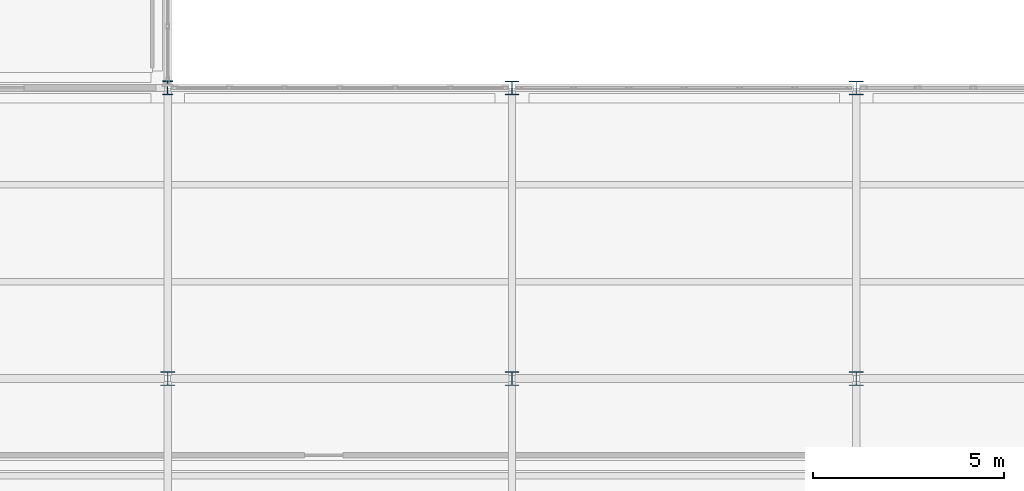
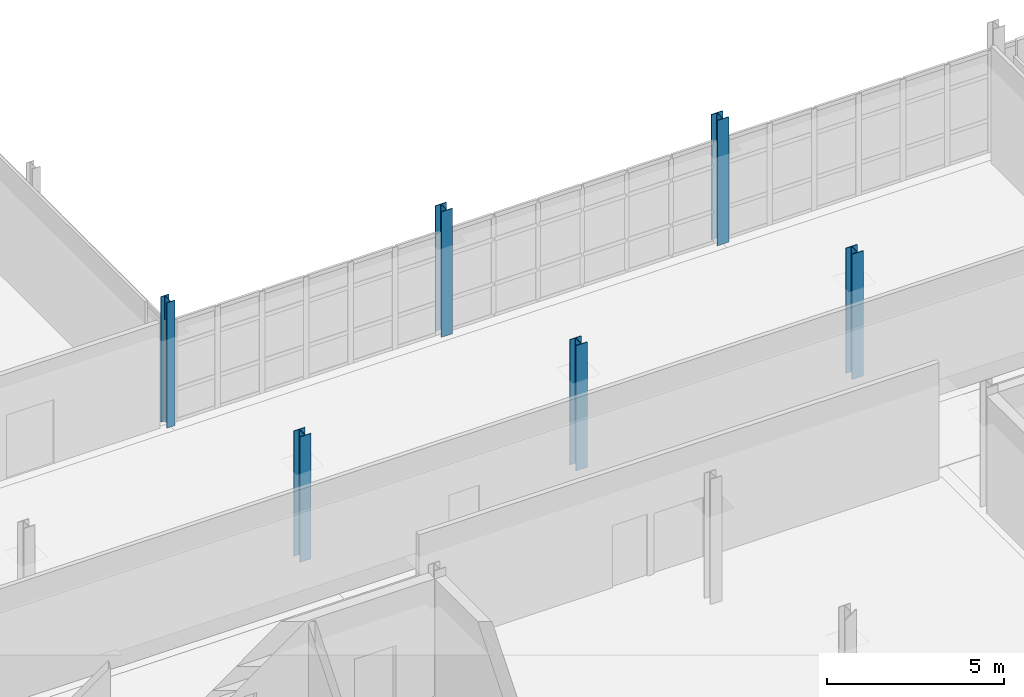
# One storey, part 10 of 174: 6 columns.
"""IFC4 building model written with IfcOpenShell, lengths in metres."""

import ifcopenshell
import ifcopenshell.guid

model = None  # the IFC model being written
_history = None  # IfcOwnerHistory: only IFC2X3 demands one
_inside = {}  # id of a spatial element -> (the spatial element, [elements in it])
_under = {}  # id of a project, library or spatial element -> (it, [spatial elements below it])
_declared = {}  # id of a project -> (the project, [libraries it declares])
_typed = {}  # id of a type object -> (the type object, [elements of that type])
_made_of = {}  # id of a material, layer set ... -> (it, [elements and type objects made of it])


def new_model(schema):
    """Start an empty IFC model of exactly this schema.

    Asked for "IFC4X3", IfcOpenShell would pick the latest addendum, in which some entities
    have other attributes; the version numbers below select the first issue.
    IFC2X3 requires an IfcOwnerHistory on every rooted entity: one is made here for all.
    """
    global model, _history
    if schema == "IFC4X3":
        model = ifcopenshell.file(schema_version=(4, 3, 0, 0))
    else:
        model = ifcopenshell.file(schema=schema)
    _inside.clear()
    _under.clear()
    _declared.clear()
    _typed.clear()
    _made_of.clear()
    _history = None
    if model.schema == "IFC2X3":
        org = make("IfcOrganization", Name="unknown")
        user = make(
            "IfcPersonAndOrganization",
            ThePerson=make("IfcPerson", FamilyName="unknown"),
            TheOrganization=org,
        )
        app = make(
            "IfcApplication",
            ApplicationDeveloper=org,
            Version="unknown",
            ApplicationFullName="unknown",
            ApplicationIdentifier="unknown",
        )
        _history = make(
            "IfcOwnerHistory",
            OwningUser=user,
            OwningApplication=app,
            ChangeAction="ADDED",
            CreationDate=0,
        )
    return model


def make(cls, **values):
    """One entity of the class cls with the attributes given. An attribute that is None is left unset."""
    return model.create_entity(
        cls, **{name: value for name, value in values.items() if value is not None}
    )


def rooted(cls, **values):
    """An entity with a GlobalId (a new one), such as an element, a storey or a relation."""
    return make(cls, GlobalId=ifcopenshell.guid.new(), OwnerHistory=_history, **values)


def si_unit(unit_type, name, prefix=None):
    """IfcSIUnit, for example si_unit("LENGTHUNIT", "METRE", prefix="MILLI")."""
    return make("IfcSIUnit", UnitType=unit_type, Prefix=prefix, Name=name)


def assignment(units):
    """IfcUnitAssignment: the units of a project."""
    return None if units is None else make("IfcUnitAssignment", Units=units)


def point(xyz):
    """IfcCartesianPoint."""
    return None if xyz is None else make("IfcCartesianPoint", Coordinates=xyz)


def direction(xyz):
    """IfcDirection."""
    return None if xyz is None else make("IfcDirection", DirectionRatios=xyz)


def frame(location, z_axis=None, x_axis=None):
    """IfcAxis2Placement3D, a coordinate frame: its origin and axes. An axis left out is left unset."""
    return make(
        "IfcAxis2Placement3D",
        Location=point(location),
        Axis=direction(z_axis),
        RefDirection=direction(x_axis),
    )


def frame_2d(location, x_axis=None):
    """IfcAxis2Placement2D, a coordinate frame in the plane: its origin and x axis."""
    return make(
        "IfcAxis2Placement2D", Location=point(location), RefDirection=direction(x_axis)
    )


def origin():
    """The frame at (0, 0, 0) with its axes left unset."""
    return frame((0.0, 0.0, 0.0))


def origin_2d():
    """The frame at (0, 0) in the plane with its x axis left unset."""
    return frame_2d((0.0, 0.0))


def place(relative_to, where):
    """IfcLocalPlacement: puts the frame where relative to a parent placement (None: the world)."""
    return make(
        "IfcLocalPlacement", PlacementRelTo=relative_to, RelativePlacement=where
    )


def context(
    kind, dimensions, precision=None, world=None, true_north=None, identifier=None
):
    """IfcGeometricRepresentationContext, for example the 3D "Model" context."""
    return make(
        "IfcGeometricRepresentationContext",
        ContextIdentifier=identifier,
        ContextType=kind,
        CoordinateSpaceDimension=dimensions,
        Precision=precision,
        WorldCoordinateSystem=world,
        TrueNorth=true_north,
    )


def subcontext(parent, identifier, kind, view, scale=None):
    """IfcGeometricRepresentationSubContext, for example "Body" below "Model"."""
    return make(
        "IfcGeometricRepresentationSubContext",
        ContextIdentifier=identifier,
        ContextType=kind,
        ParentContext=parent,
        TargetScale=scale,
        TargetView=view,
    )


def project(units=None, contexts=None):
    """IfcProject with its units and contexts."""
    return rooted(
        "IfcProject",
        Name="project",
        RepresentationContexts=contexts,
        UnitsInContext=assignment(units),
    )


def spatial(cls, under=None, at=None, **own):
    """A site, building, storey or space (cls), placed at a placement, below another one or the project."""
    s = rooted(cls, ObjectPlacement=at, **own)
    if under is not None:
        _under.setdefault(under.id(), (under, []))[1].append(s)
    return s


def profile(cls, at=None, kind="AREA", **sizes):
    """A parametric profile (cls). Its sizes go by their IFC names, for example OverallWidth=200.0."""
    return make(cls, ProfileType=kind, Position=at, **sizes)


def i_section(**sizes):
    """IfcIShapeProfileDef."""
    return profile("IfcIShapeProfileDef", **sizes)


def extrude(swept, where, along, depth):
    """IfcExtrudedAreaSolid: the profile swept, set in the frame where, extruded along a direction by depth."""
    return make(
        "IfcExtrudedAreaSolid",
        SweptArea=swept,
        Position=where,
        ExtrudedDirection=direction(along),
        Depth=depth,
    )


def shape(context_of_items, identifier, shape_type, items):
    """IfcShapeRepresentation: the items that make up one representation, for example the "Body"."""
    return make(
        "IfcShapeRepresentation",
        ContextOfItems=context_of_items,
        RepresentationIdentifier=identifier,
        RepresentationType=shape_type,
        Items=items,
    )


def material(Name=None, Category=None):
    """IfcMaterial."""
    return make("IfcMaterial", Name=Name, Category=Category)


def material_profile(
    of_material, cross_section, Name=None, Category=None, Priority=None
):
    """IfcMaterialProfile: a cross section and its material."""
    return make(
        "IfcMaterialProfile",
        Name=Name,
        Material=of_material,
        Profile=cross_section,
        Priority=Priority,
        Category=Category,
    )


def profile_set(profiles, Name=None, composite=None):
    """IfcMaterialProfileSet."""
    return make(
        "IfcMaterialProfileSet",
        Name=Name,
        MaterialProfiles=profiles,
        CompositeProfile=composite,
    )


def made_of(thing, what):
    """Note that an element or type object is made of a material, layer set ...; save() writes the relation."""
    if what is not None:
        _made_of.setdefault(what.id(), (what, []))[1].append(thing)
    return thing


def type_object(cls, material=None, **own):
    """A type object (cls), such as IfcWallType, which elements share."""
    return made_of(rooted(cls, **own), material)


def element(
    cls,
    number,
    at=None,
    inside=None,
    cuts=None,
    type_object=None,
    material=None,
    context=None,
    identifier="Body",
    shape_type=None,
    held_by="IfcProductDefinitionShape",
    body=None,
    shapes=None,
    **own,
):
    """One element of the class cls, such as IfcWall. Its Tag is "e" and its number.

    at: its placement. inside: the storey or other place that contains it. cuts: it is an
    opening in that element (IfcRelVoidsElement). A single representation is given by context,
    identifier, shape_type and body (its items); several are given by shapes. held_by: the class
    of the entity that holds the representations. save() writes the other relations.
    """
    e = rooted(cls, Tag="e%d" % number, ObjectPlacement=at, **own)
    if body is not None:
        shapes = [shape(context, identifier, shape_type, body)]
    if shapes is not None:
        e.Representation = make(held_by, Representations=shapes)
    if inside is not None:
        _inside.setdefault(inside.id(), (inside, []))[1].append(e)
    if cuts is not None:
        rooted(
            "IfcRelVoidsElement", RelatingBuildingElement=cuts, RelatedOpeningElement=e
        )
    if type_object is not None:
        _typed.setdefault(type_object.id(), (type_object, []))[1].append(e)
    return made_of(e, material)


def aggregate(whole, parts):
    """IfcRelAggregates: a whole, such as a stair, and the parts it consists of."""
    return rooted("IfcRelAggregates", RelatingObject=whole, RelatedObjects=parts)


def save(model, path):
    """Write the relations noted so far, then the file.

    IfcRelAggregates (storeys below a building ...), IfcRelContainedInSpatialStructure (elements
    in a storey), IfcRelDefinesByType, IfcRelAssociatesMaterial and IfcRelDeclares: one each for
    every whole, place, type object, material and project.
    """
    for whole, parts in _under.values():
        aggregate(whole, parts)
    for where, things in _inside.values():
        rooted(
            "IfcRelContainedInSpatialStructure",
            RelatedElements=things,
            RelatingStructure=where,
        )
    for kind, things in _typed.values():
        rooted("IfcRelDefinesByType", RelatedObjects=things, RelatingType=kind)
    for what, things in _made_of.values():
        rooted("IfcRelAssociatesMaterial", RelatedObjects=things, RelatingMaterial=what)
    for by, libraries in _declared.values():
        rooted("IfcRelDeclares", RelatingContext=by, RelatedDefinitions=libraries)
    model.write(path)


model = new_model("IFC4")

# Units and contexts
model_context = context("Model", 3, precision=1e-05, world=origin(), true_north=direction((0.0, 1.0)))
body_context = subcontext(model_context, "Body", "Model", "MODEL_VIEW")
ifc_project = project(units=[si_unit("LENGTHUNIT", "METRE"), si_unit("AREAUNIT", "SQUARE_METRE"), si_unit("VOLUMEUNIT", "CUBIC_METRE"), si_unit("PLANEANGLEUNIT", "RADIAN"), si_unit("MASSUNIT", "GRAM", prefix="KILO")], contexts=[model_context])

# Site, building, storey
site_placement = place(None, origin())
site = spatial("IfcSite", under=ifc_project, at=site_placement, CompositionType="ELEMENT")
building_placement = place(site_placement, origin())
building = spatial("IfcBuilding", under=site, at=building_placement, Name="Caisbarro Railhouse Central Library", CompositionType="ELEMENT")
storey_placement = place(building_placement, frame((0.0, 0.0, 5.0400390625)))
storey = spatial("IfcBuildingStorey", under=building, at=storey_placement, Name="L01", CompositionType="ELEMENT", Elevation=5.0400390625)

# Columns
ifc_material = material(Name="Steel ASTM A572 Grade 50", Category="steel")
ifc_material_profile_1 = material_profile(ifc_material, i_section(OverallWidth=0.37109375, OverallDepth=0.364013671875, WebThickness=0.01318359375, FlangeThickness=0.021728515625, FilletRadius=0.01806640625, at=origin_2d()), Name="W360X162.0")
ifc_profile_set_1 = profile_set([ifc_material_profile_1], Name="Steel ASTM A572 Grade 50")
column_type_1 = type_object("IfcColumnType", Name="COL-C02", PredefinedType="COLUMN", material=ifc_profile_set_1)
for number, where, z_axis, x_axis, name in (
    (1, (72.0, 22.800048828125, 0.0), (0.0, 0.0, 1.0), (1.0, 0.0, 0.0), "C02 column L01 (72.0,22.8)"),
    (2, (81.0, 22.800048828125, 0.0), (0.0, 0.0, 1.0), (1.0, 0.0, 0.0), "C02 column L01 (81.0,22.8)"),
    (3, (81.0, 30.39990234375, 0.0), (0.0, 0.0, 1.0), (1.0, 0.0, 0.0), "C02 column L01 (81.0,30.4)"),
    (4, (90.0, 22.800048828125, 0.0), (0.0, 0.0, 1.0), (1.0, 0.0, 0.0), "C02 column L01 (90.0,22.8)"),
    (5, (90.0, 30.39990234375, 0.0), (0.0, 0.0, 1.0), (1.0, 0.0, 0.0), "C02 column L01 (90.0,30.4)"),
):
    element("IfcColumn", number, at=place(storey_placement, frame(where, z_axis=z_axis, x_axis=x_axis)), inside=storey, type_object=column_type_1, Name=name, PredefinedType="COLUMN", context=body_context, shape_type="SweptSolid", body=[
        extrude(i_section(OverallWidth=0.37109375, OverallDepth=0.364013671875, WebThickness=0.01318359375, FlangeThickness=0.021728515625, FilletRadius=0.01806640625, at=origin_2d()), origin(), (0.0, 0.0, 1.0), 4.320068359375),
    ])
ifc_material_profile_2 = material_profile(ifc_material, i_section(OverallWidth=0.257080078125, OverallDepth=0.363037109375, WebThickness=0.012939453125, FlangeThickness=0.021728515625, FilletRadius=0.014892578125, at=origin_2d()), Name="W360X122.0")
ifc_profile_set_2 = profile_set([ifc_material_profile_2], Name="Steel ASTM A572 Grade 50")
column_type_2 = type_object("IfcColumnType", Name="COL-C04", PredefinedType="COLUMN", material=ifc_profile_set_2)
column_placement = place(storey_placement, frame((72.0, 30.39990234375, 0.0), z_axis=(0.0, 0.0, 1.0), x_axis=(1.0, 0.0, 0.0)))
element("IfcColumn", 6, at=column_placement, inside=storey, type_object=column_type_2, Name="C04 column L01 (72.0,30.4)", PredefinedType="COLUMN", context=body_context, shape_type="SweptSolid", body=[
    extrude(i_section(OverallWidth=0.257080078125, OverallDepth=0.363037109375, WebThickness=0.012939453125, FlangeThickness=0.021728515625, FilletRadius=0.014892578125, at=origin_2d()), origin(), (0.0, 0.0, 1.0), 4.320068359375),
])

save(model, "model.ifc")
